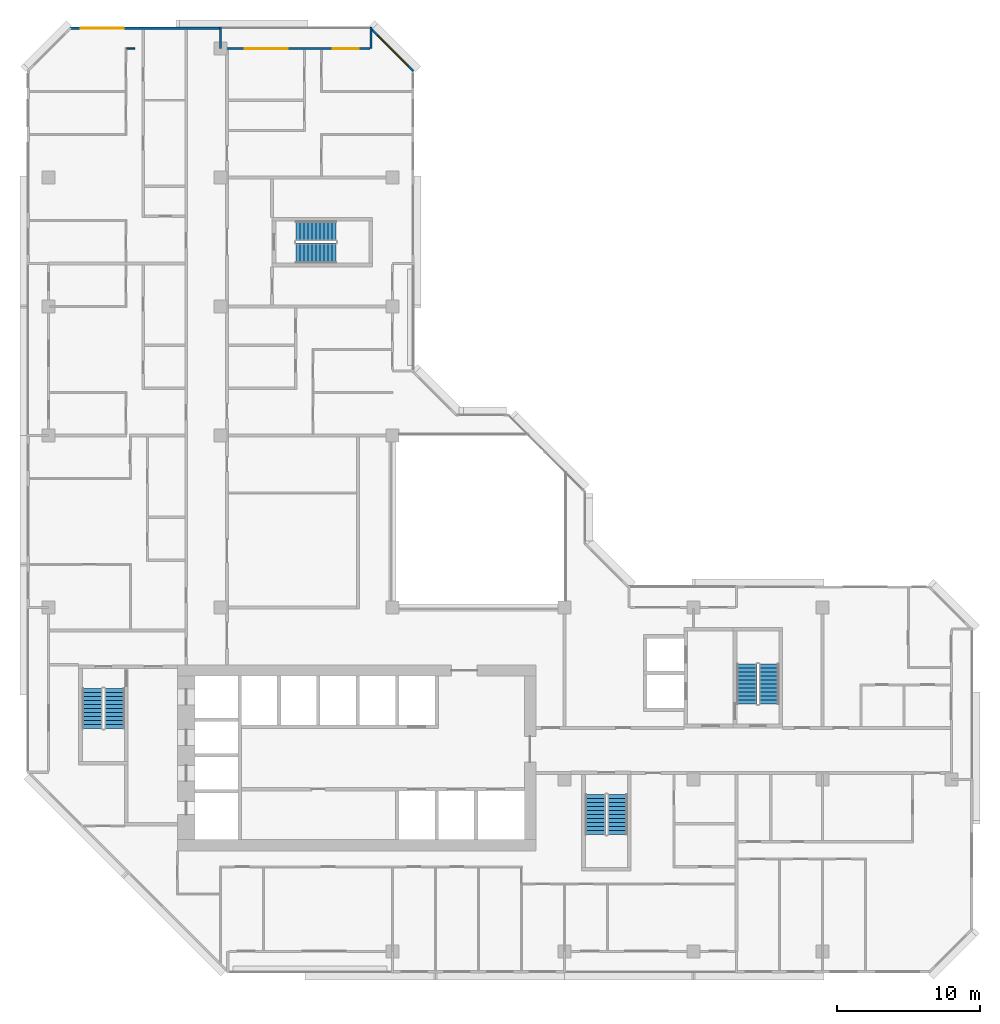
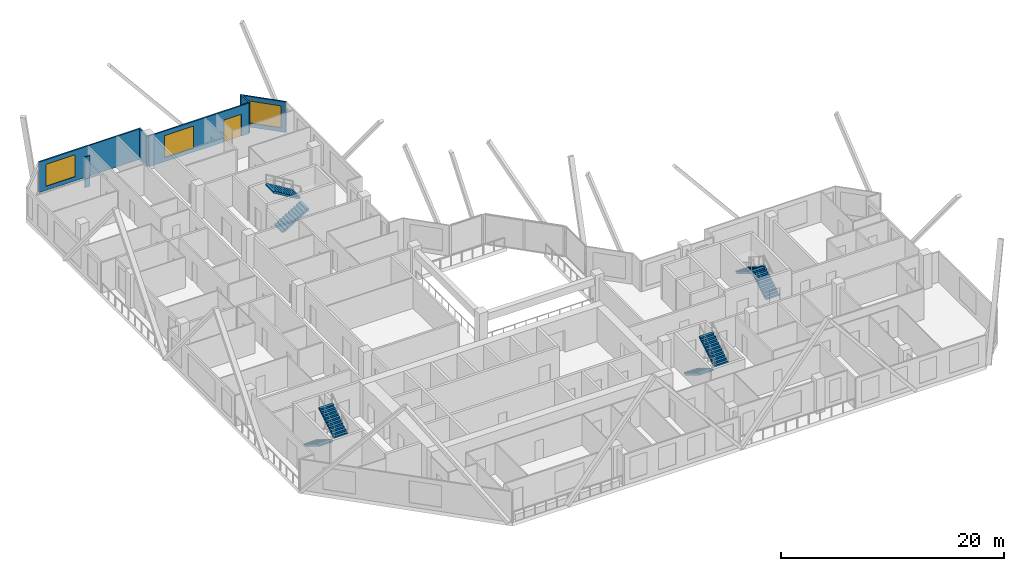
# One storey, part 13 of 15: 8 stair flights, 6 walls, 3 windows, 1 door, 4 openings, 4 elements without a shape of their own.
"""IFC4 building model written with IfcOpenShell, lengths in metres."""

from ifc_helpers import new_model, si_unit, direction, frame, frame_2d, origin, place, context, subcontext, project, spatial, polyline, rectangle, outline, extrude, material, layer, layer_set, type_object, element, fill, aggregate, save


model = new_model("IFC4")

# Units and contexts
model_context = context("Model", 3, precision=1e-05, world=origin(), true_north=direction((0.0, 1.0)))
body_context = subcontext(model_context, "Body", "Model", "MODEL_VIEW")
ifc_project = project(units=[si_unit("LENGTHUNIT", "METRE"), si_unit("AREAUNIT", "SQUARE_METRE"), si_unit("VOLUMEUNIT", "CUBIC_METRE"), si_unit("PLANEANGLEUNIT", "RADIAN"), si_unit("MASSUNIT", "GRAM", prefix="KILO")], contexts=[model_context])

# Site, building, storey
site_placement = place(None, origin())
site = spatial("IfcSite", under=ifc_project, at=site_placement, CompositionType="ELEMENT")
building_placement = place(site_placement, origin())
building = spatial("IfcBuilding", under=site, at=building_placement, Name="Chenar Terraces", CompositionType="ELEMENT")
storey_placement = place(building_placement, frame((0.0, 0.0, 194.89990234375)))
storey = spatial("IfcBuildingStorey", under=building, at=storey_placement, Name="L45", CompositionType="ELEMENT", Elevation=194.89990234375)

# Wall, opening, window
ifc_material_1 = material(Name="Aluminium framed glazing", Category="aluminium")
ifc_layer_1 = layer(ifc_material_1, 0.14990234375)
ifc_layer_set_1 = layer_set([ifc_layer_1], Name="Aluminium framed glazing")
wall_type_1 = type_object("IfcWallType", Name="Glazed flush facade wall 150", PredefinedType="SOLIDWALL", material=ifc_layer_set_1)
wall_1_placement = place(storey_placement, frame((11.925048828125, 64.425048828125, 0.0), z_axis=(0.0, 0.0, 1.0), x_axis=(-1.0, 0.0, 0.0)))
wall_1 = element("IfcWall", 1, at=wall_1_placement, inside=storey, type_object=wall_type_1, Name="Glazed flush facade wall", PredefinedType="SOLIDWALL", context=body_context, shape_type="SweptSolid", body=[
    extrude(rectangle(XDim=10.425048828125, YDim=0.14990234375, at=frame_2d((5.21240234375, 0.0))), origin(), (0.0, 0.0, 1.0), 3.35009765625),
])
opening_1_placement = place(wall_1_placement, frame((6.675048828125, 0.0, 0.449951171875)))
opening_1 = element("IfcOpeningElement", 2, at=opening_1_placement, cuts=wall_1, Name="Opening W300x240", PredefinedType="OPENING", context=body_context, shape_type="SweptSolid", body=[
    extrude(rectangle(XDim=3.0, YDim=2.39990234375, at=frame_2d((1.5, 1.199951171875))), frame((0.0, 0.0849609375, 0.0), z_axis=(0.0, -1.0, 0.0), x_axis=(1.0, 0.0, 0.0)), (0.0, 0.0, 1.0), 0.169921875),
])
ifc_material_2 = material(Name="Low emissivity double glazing, aluminium frame", Category="aluminium")
window_type = type_object("IfcWindowType", Name="Fixed light 3000 x 2400", PartitioningType="SINGLE_PANEL", PredefinedType="WINDOW", material=ifc_material_2)
window_1_placement = place(opening_1_placement, origin())
window_1 = element("IfcWindow", 3, at=window_1_placement, inside=storey, type_object=window_type, Name="Window", OverallHeight=2.39990234375, OverallWidth=3.0, PartitioningType="SINGLE_PANEL", PredefinedType="WINDOW", context=body_context, shape_type="SweptSolid", body=[
    extrude(rectangle(XDim=3.0, YDim=2.39990234375, at=frame_2d((1.5, 1.199951171875))), frame((0.0, 0.030029296875, 0.0), z_axis=(0.0, -1.0, 0.0), x_axis=(1.0, 0.0, 0.0)), (0.0, 0.0, 1.0), 0.06005859375),
])
fill(opening_1, window_1)

# Wall, openings, window, door
ifc_material_3 = material(Name="Aluminium framed glazing", Category="aluminium")
ifc_layer_2 = layer(ifc_material_3, 0.14990234375)
ifc_layer_set_2 = layer_set([ifc_layer_2], Name="Aluminium framed glazing")
wall_type_2 = type_object("IfcWallType", Name="Glazed loggia back wall 150", PredefinedType="SOLIDWALL", material=ifc_layer_set_2)
wall_2_placement = place(storey_placement, frame((22.425048828125, 63.0, 0.0), z_axis=(0.0, 0.0, 1.0), x_axis=(-1.0, 0.0, 0.0)))
wall_2 = element("IfcWall", 4, at=wall_2_placement, inside=storey, type_object=wall_type_2, Name="Glazed loggia back wall", PredefinedType="SOLIDWALL", context=body_context, shape_type="SweptSolid", body=[
    extrude(rectangle(XDim=10.35009765625, YDim=0.14990234375, at=frame_2d((5.175048828125, 0.0))), origin(), (0.0, 0.0, 1.0), 3.35009765625),
])
opening_2_placement = place(wall_2_placement, frame((0.78759765625, 0.0, 0.0)))
opening_2 = element("IfcOpeningElement", 5, at=opening_2_placement, cuts=wall_2, Name="Opening DL45-G2", PredefinedType="OPENING", context=body_context, shape_type="SweptSolid", body=[
    extrude(rectangle(XDim=1.800048828125, YDim=2.39990234375, at=frame_2d((0.89990234375, 1.199951171875))), frame((0.0, 0.0849609375, 0.0), z_axis=(0.0, -1.0, 0.0), x_axis=(1.0, 0.0, 0.0)), (0.0, 0.0, 1.0), 0.169921875),
])
opening_3_placement = place(wall_2_placement, frame((5.72509765625, 0.0, 0.449951171875)))
opening_3 = element("IfcOpeningElement", 6, at=opening_3_placement, cuts=wall_2, Name="Opening W300x240", PredefinedType="OPENING", context=body_context, shape_type="SweptSolid", body=[
    extrude(rectangle(XDim=3.0, YDim=2.39990234375, at=frame_2d((1.5, 1.199951171875))), frame((0.0, 0.0849609375, 0.0), z_axis=(0.0, -1.0, 0.0), x_axis=(1.0, 0.0, 0.0)), (0.0, 0.0, 1.0), 0.169921875),
])
window_2_placement = place(opening_3_placement, origin())
window_2 = element("IfcWindow", 7, at=window_2_placement, inside=storey, type_object=window_type, Name="Window", OverallHeight=2.39990234375, OverallWidth=3.0, PartitioningType="SINGLE_PANEL", PredefinedType="WINDOW", context=body_context, shape_type="SweptSolid", body=[
    extrude(rectangle(XDim=3.0, YDim=2.39990234375, at=frame_2d((1.5, 1.199951171875))), frame((0.0, 0.030029296875, 0.0), z_axis=(0.0, -1.0, 0.0), x_axis=(1.0, 0.0, 0.0)), (0.0, 0.0, 1.0), 0.06005859375),
])
fill(opening_3, window_2)
ifc_material_4 = material(Name="Low emissivity double glazing, aluminium frame", Category="aluminium")
door_type = type_object("IfcDoorType", Name="Loggia glazed double door 1800 x 2400", OperationType="DOUBLE_DOOR_SINGLE_SWING", PredefinedType="DOOR", material=ifc_material_4)
door_placement = place(opening_2_placement, frame((1.800048828125, 0.0, 0.0), z_axis=(0.0, 0.0, 1.0), x_axis=(-1.0, 0.0, 0.0)))
door = element("IfcDoor", 8, at=door_placement, inside=storey, type_object=door_type, Name="Loggia glazed door", OperationType="DOUBLE_DOOR_SINGLE_SWING", OverallHeight=2.39990234375, OverallWidth=1.800048828125, PredefinedType="DOOR", context=body_context, shape_type="SweptSolid", body=[
    extrude(rectangle(XDim=1.800048828125, YDim=2.39990234375, at=frame_2d((0.89990234375, 1.199951171875))), frame((0.0, 0.02490234375, 0.0), z_axis=(0.0, -1.0, 0.0), x_axis=(1.0, 0.0, 0.0)), (0.0, 0.0, 1.0), 0.050048828125),
])
fill(opening_2, door)

# Walls
ifc_material_5 = material(Name="Gypsum board on steel studs", Category="steel")
ifc_layer_3 = layer(ifc_material_5, 0.10009765625)
ifc_layer_set_3 = layer_set([ifc_layer_3], Name="Gypsum board on steel studs")
wall_type_3 = type_object("IfcWallType", Name="Gypsum partition 100", PredefinedType="PARTITIONING", material=ifc_layer_set_3)
wall_3_placement = place(storey_placement, frame((5.449951171875, 63.0, 0.0), z_axis=(0.0, 0.0, 1.0), x_axis=(1.0, 0.0, 0.0)))
element("IfcWall", 9, at=wall_3_placement, inside=storey, type_object=wall_type_3, Name="Partition L45-017", PredefinedType="PARTITIONING", context=body_context, shape_type="SweptSolid", body=[
    extrude(rectangle(XDim=0.550048828125, YDim=0.10009765625, at=frame_2d((0.27490234375, 0.0))), origin(), (0.0, 0.0, 1.0), 3.35009765625),
])
ifc_material_6 = material(Name="Terracotta cladding on insulated backing", Category="masonry")
ifc_layer_4 = layer(ifc_material_6, 0.14990234375)
ifc_layer_set_4 = layer_set([ifc_layer_4], Name="Terracotta cladding on insulated backing")
wall_type_4 = type_object("IfcWallType", Name="Loggia return wall 150", PredefinedType="SOLIDWALL", material=ifc_layer_set_4)
for number, where, z_axis, x_axis, name in (
    (10, (22.5, 64.5, 0.0), (0.0, 0.0, 1.0), (0.0, -1.0, 0.0), "Loggia return wall"),
    (11, (12.0, 64.5, 0.0), (0.0, 0.0, 1.0), (0.0, -1.0, 0.0), "Loggia return wall"),
):
    element("IfcWall", number, at=place(storey_placement, frame(where, z_axis=z_axis, x_axis=x_axis)), inside=storey, type_object=wall_type_4, Name=name, PredefinedType="SOLIDWALL", context=body_context, shape_type="SweptSolid", body=[
        extrude(rectangle(XDim=1.5, YDim=0.14990234375, at=frame_2d((0.75, 0.0))), origin(), (0.0, 0.0, 1.0), 3.35009765625),
    ])

# Wall, opening, window
ifc_material_7 = material(Name="Terracotta cladding on insulated backing", Category="masonry")
ifc_layer_5 = layer(ifc_material_7, 0.14990234375)
ifc_layer_set_5 = layer_set([ifc_layer_5], Name="Terracotta cladding on insulated backing")
wall_type_5 = type_object("IfcWallType", Name="Terracotta rainscreen wall 150", PredefinedType="SOLIDWALL", material=ifc_layer_set_5)
wall_4_placement = place(storey_placement, frame((25.447021484375, 61.447021484375, 0.0), z_axis=(0.0, 0.0, 1.0), x_axis=(-0.707106781187, 0.707106781187, 0.0)))
wall_4 = element("IfcWall", 12, at=wall_4_placement, inside=storey, type_object=wall_type_5, Name="Terracotta rainscreen wall", PredefinedType="SOLIDWALL", context=body_context, shape_type="SweptSolid", body=[
    extrude(rectangle(XDim=4.24267578125, YDim=0.14990234375, at=frame_2d((2.121337890625, 0.0))), origin(), (0.0, 0.0, 1.0), 3.35009765625),
])
opening_4_placement = place(wall_4_placement, frame((0.498046875, 0.0, 0.449951171875)))
opening_4 = element("IfcOpeningElement", 13, at=opening_4_placement, cuts=wall_4, Name="Opening W300x240", PredefinedType="OPENING", context=body_context, shape_type="SweptSolid", body=[
    extrude(rectangle(XDim=3.0, YDim=2.39990234375, at=frame_2d((1.5, 1.199951171875))), frame((0.0, 0.0849609375, 0.0), z_axis=(0.0, -1.0, 0.0), x_axis=(1.0, 0.0, 0.0)), (0.0, 0.0, 1.0), 0.169921875),
])
window_3_placement = place(opening_4_placement, origin())
window_3 = element("IfcWindow", 14, at=window_3_placement, inside=storey, type_object=window_type, Name="Window", OverallHeight=2.39990234375, OverallWidth=3.0, PartitioningType="SINGLE_PANEL", PredefinedType="WINDOW", context=body_context, shape_type="SweptSolid", body=[
    extrude(rectangle(XDim=3.0, YDim=2.39990234375, at=frame_2d((1.5, 1.199951171875))), frame((0.0, 0.030029296875, 0.0), z_axis=(0.0, -1.0, 0.0), x_axis=(1.0, 0.0, 0.0)), (0.0, 0.0, 1.0), 0.06005859375),
])
fill(opening_4, window_3)

# Stair, stair flights
ifc_material_8 = material(Name="Reinforced concrete C40/50", Category="concrete")
stair_type = type_object("IfcStairType", Name="Core stair 1400 half-turn", PredefinedType="HALF_TURN_STAIR", material=ifc_material_8)
placement = place(storey_placement, origin())
stair_1 = element("IfcStair", 15, at=placement, inside=storey, type_object=stair_type, Name="L45 Stair 1", PredefinedType="HALF_TURN_STAIR")
ifc_material_9 = material(Name="Reinforced concrete C40/50", Category="concrete")
stair_flight_type = type_object("IfcStairFlightType", Name="Core stair flight 1400", PredefinedType="STRAIGHT", material=ifc_material_9)
stair_flight_1_placement = place(storey_placement, frame((3.050048828125, 18.35009765625, 0.0), z_axis=(0.0, 0.0, 1.0), x_axis=(0.0, -1.0, 0.0)))
stair_flight_1 = element("IfcStairFlight", 16, at=stair_flight_1_placement, type_object=stair_flight_type, Name="ST1 flight 1", NumberOfRisers=11, NumberOfTreads=10, PredefinedType="STRAIGHT", RiserHeight=0.170454545, TreadLength=0.28, context=body_context, shape_type="SweptSolid", body=[
    extrude(outline(polyline([(-0.0029296875, 0.0), (-0.0029296875, 0.17041015625), (0.0, 0.17041015625), (0.280029296875, 0.17041015625), (0.280029296875, 0.3408203125), (0.56005859375, 0.3408203125), (0.56005859375, 0.511474609375), (0.840087890625, 0.511474609375), (0.840087890625, 0.681884765625), (1.1201171875, 0.681884765625), (1.1201171875, 0.852294921875), (1.39990234375, 0.852294921875), (1.39990234375, 1.022705078125), (1.679931640625, 1.022705078125), (1.679931640625, 1.193115234375), (1.9599609375, 1.193115234375), (1.9599609375, 1.363525390625), (2.239990234375, 1.363525390625), (2.239990234375, 1.5341796875), (2.52001953125, 1.5341796875), (2.52001953125, 1.70458984375), (2.800048828125, 1.70458984375), (2.802978515625, 1.70458984375), (2.802978515625, 1.529052734375), (2.800048828125, 1.529052734375), (0.288330078125, 0.0), (-0.0029296875, 0.0)])), frame((0.0, 0.699951171875, 0.0), z_axis=(0.0, -1.0, 0.0), x_axis=(1.0, 0.0, 0.0)), (0.0, 0.0, 1.0), 1.39990234375),
])
stair_flight_2_placement = place(storey_placement, frame((4.60009765625, 15.550048828125, 1.875), z_axis=(0.0, 0.0, 1.0), x_axis=(0.0, 1.0, 0.0)))
stair_flight_2 = element("IfcStairFlight", 17, at=stair_flight_2_placement, type_object=stair_flight_type, Name="ST1 flight 2", NumberOfRisers=11, NumberOfTreads=10, PredefinedType="STRAIGHT", RiserHeight=0.170454545, TreadLength=0.28, context=body_context, shape_type="SweptSolid", body=[
    extrude(outline(polyline([(-0.0029296875, 0.0), (-0.0029296875, 0.17041015625), (0.0, 0.17041015625), (0.280029296875, 0.17041015625), (0.280029296875, 0.3408203125), (0.56005859375, 0.3408203125), (0.56005859375, 0.511474609375), (0.840087890625, 0.511474609375), (0.840087890625, 0.681884765625), (1.1201171875, 0.681884765625), (1.1201171875, 0.852294921875), (1.39990234375, 0.852294921875), (1.39990234375, 1.022705078125), (1.679931640625, 1.022705078125), (1.679931640625, 1.193115234375), (1.9599609375, 1.193115234375), (1.9599609375, 1.363525390625), (2.239990234375, 1.363525390625), (2.239990234375, 1.5341796875), (2.52001953125, 1.5341796875), (2.52001953125, 1.70458984375), (2.800048828125, 1.70458984375), (2.802978515625, 1.70458984375), (2.802978515625, 1.529052734375), (2.800048828125, 1.529052734375), (0.288330078125, 0.0), (-0.0029296875, 0.0)])), frame((0.0, 0.699951171875, 0.0), z_axis=(0.0, -1.0, 0.0), x_axis=(1.0, 0.0, 0.0)), (0.0, 0.0, 1.0), 1.39990234375),
])
aggregate(stair_1, [stair_flight_1, stair_flight_2])

stair_2 = element("IfcStair", 18, at=placement, inside=storey, type_object=stair_type, Name="L45 Stair 2", PredefinedType="HALF_TURN_STAIR")
stair_flight_3_placement = place(storey_placement, frame((38.14990234375, 10.949951171875, 0.0), z_axis=(0.0, 0.0, 1.0), x_axis=(0.0, -1.0, 0.0)))
stair_flight_3 = element("IfcStairFlight", 19, at=stair_flight_3_placement, type_object=stair_flight_type, Name="ST2 flight 1", NumberOfRisers=11, NumberOfTreads=10, PredefinedType="STRAIGHT", RiserHeight=0.170454545, TreadLength=0.28, context=body_context, shape_type="SweptSolid", body=[
    extrude(outline(polyline([(-0.0029296875, 0.0), (-0.0029296875, 0.17041015625), (0.0, 0.17041015625), (0.280029296875, 0.17041015625), (0.280029296875, 0.3408203125), (0.56005859375, 0.3408203125), (0.56005859375, 0.511474609375), (0.840087890625, 0.511474609375), (0.840087890625, 0.681884765625), (1.1201171875, 0.681884765625), (1.1201171875, 0.852294921875), (1.39990234375, 0.852294921875), (1.39990234375, 1.022705078125), (1.679931640625, 1.022705078125), (1.679931640625, 1.193115234375), (1.9599609375, 1.193115234375), (1.9599609375, 1.363525390625), (2.239990234375, 1.363525390625), (2.239990234375, 1.5341796875), (2.52001953125, 1.5341796875), (2.52001953125, 1.70458984375), (2.800048828125, 1.70458984375), (2.802978515625, 1.70458984375), (2.802978515625, 1.529052734375), (2.800048828125, 1.529052734375), (0.288330078125, 0.0), (-0.0029296875, 0.0)])), frame((0.0, 0.699951171875, 0.0), z_axis=(0.0, -1.0, 0.0), x_axis=(1.0, 0.0, 0.0)), (0.0, 0.0, 1.0), 1.39990234375),
])
stair_flight_4_placement = place(storey_placement, frame((39.699951171875, 8.14990234375, 1.875), z_axis=(0.0, 0.0, 1.0), x_axis=(0.0, 1.0, 0.0)))
stair_flight_4 = element("IfcStairFlight", 20, at=stair_flight_4_placement, type_object=stair_flight_type, Name="ST2 flight 2", NumberOfRisers=11, NumberOfTreads=10, PredefinedType="STRAIGHT", RiserHeight=0.170454545, TreadLength=0.28, context=body_context, shape_type="SweptSolid", body=[
    extrude(outline(polyline([(-0.0029296875, 0.0), (-0.0029296875, 0.17041015625), (0.0, 0.17041015625), (0.280029296875, 0.17041015625), (0.280029296875, 0.3408203125), (0.56005859375, 0.3408203125), (0.56005859375, 0.511474609375), (0.840087890625, 0.511474609375), (0.840087890625, 0.681884765625), (1.1201171875, 0.681884765625), (1.1201171875, 0.852294921875), (1.39990234375, 0.852294921875), (1.39990234375, 1.022705078125), (1.679931640625, 1.022705078125), (1.679931640625, 1.193115234375), (1.9599609375, 1.193115234375), (1.9599609375, 1.363525390625), (2.239990234375, 1.363525390625), (2.239990234375, 1.5341796875), (2.52001953125, 1.5341796875), (2.52001953125, 1.70458984375), (2.800048828125, 1.70458984375), (2.802978515625, 1.70458984375), (2.802978515625, 1.529052734375), (2.800048828125, 1.529052734375), (0.288330078125, 0.0), (-0.0029296875, 0.0)])), frame((0.0, 0.699951171875, 0.0), z_axis=(0.0, -1.0, 0.0), x_axis=(1.0, 0.0, 0.0)), (0.0, 0.0, 1.0), 1.39990234375),
])
aggregate(stair_2, [stair_flight_3, stair_flight_4])

stair_3 = element("IfcStair", 21, at=placement, inside=storey, type_object=stair_type, Name="L45 Stair 3", PredefinedType="HALF_TURN_STAIR")
stair_flight_5_placement = place(storey_placement, frame((50.27490234375, 17.25, 0.0), z_axis=(0.0, 0.0, 1.0), x_axis=(0.0, 1.0, 0.0)))
stair_flight_5 = element("IfcStairFlight", 22, at=stair_flight_5_placement, type_object=stair_flight_type, Name="ST3 flight 1", NumberOfRisers=11, NumberOfTreads=10, PredefinedType="STRAIGHT", RiserHeight=0.170454545, TreadLength=0.28, context=body_context, shape_type="SweptSolid", body=[
    extrude(outline(polyline([(-0.0029296875, 0.0), (-0.0029296875, 0.17041015625), (0.0, 0.17041015625), (0.280029296875, 0.17041015625), (0.280029296875, 0.3408203125), (0.56005859375, 0.3408203125), (0.56005859375, 0.511474609375), (0.840087890625, 0.511474609375), (0.840087890625, 0.681884765625), (1.1201171875, 0.681884765625), (1.1201171875, 0.852294921875), (1.39990234375, 0.852294921875), (1.39990234375, 1.022705078125), (1.679931640625, 1.022705078125), (1.679931640625, 1.193115234375), (1.9599609375, 1.193115234375), (1.9599609375, 1.363525390625), (2.239990234375, 1.363525390625), (2.239990234375, 1.5341796875), (2.52001953125, 1.5341796875), (2.52001953125, 1.70458984375), (2.800048828125, 1.70458984375), (2.802978515625, 1.70458984375), (2.802978515625, 1.529052734375), (2.800048828125, 1.529052734375), (0.288330078125, 0.0), (-0.0029296875, 0.0)])), frame((0.0, 0.699951171875, 0.0), z_axis=(0.0, -1.0, 0.0), x_axis=(1.0, 0.0, 0.0)), (0.0, 0.0, 1.0), 1.39990234375),
])
stair_flight_6_placement = place(storey_placement, frame((48.72509765625, 20.050048828125, 1.875), z_axis=(0.0, 0.0, 1.0), x_axis=(0.0, -1.0, 0.0)))
stair_flight_6 = element("IfcStairFlight", 23, at=stair_flight_6_placement, type_object=stair_flight_type, Name="ST3 flight 2", NumberOfRisers=11, NumberOfTreads=10, PredefinedType="STRAIGHT", RiserHeight=0.170454545, TreadLength=0.28, context=body_context, shape_type="SweptSolid", body=[
    extrude(outline(polyline([(-0.0029296875, 0.0), (-0.0029296875, 0.17041015625), (0.0, 0.17041015625), (0.280029296875, 0.17041015625), (0.280029296875, 0.3408203125), (0.56005859375, 0.3408203125), (0.56005859375, 0.511474609375), (0.840087890625, 0.511474609375), (0.840087890625, 0.681884765625), (1.1201171875, 0.681884765625), (1.1201171875, 0.852294921875), (1.39990234375, 0.852294921875), (1.39990234375, 1.022705078125), (1.679931640625, 1.022705078125), (1.679931640625, 1.193115234375), (1.9599609375, 1.193115234375), (1.9599609375, 1.363525390625), (2.239990234375, 1.363525390625), (2.239990234375, 1.5341796875), (2.52001953125, 1.5341796875), (2.52001953125, 1.70458984375), (2.800048828125, 1.70458984375), (2.802978515625, 1.70458984375), (2.802978515625, 1.529052734375), (2.800048828125, 1.529052734375), (0.288330078125, 0.0), (-0.0029296875, 0.0)])), frame((0.0, 0.699951171875, 0.0), z_axis=(0.0, -1.0, 0.0), x_axis=(1.0, 0.0, 0.0)), (0.0, 0.0, 1.0), 1.39990234375),
])
aggregate(stair_3, [stair_flight_5, stair_flight_6])

stair_4 = element("IfcStair", 24, at=placement, inside=storey, type_object=stair_type, Name="L45 Stair 4", PredefinedType="HALF_TURN_STAIR")
stair_flight_7_placement = place(storey_placement, frame((17.25, 48.72509765625, 0.0), z_axis=(0.0, 0.0, 1.0), x_axis=(1.0, 0.0, 0.0)))
stair_flight_7 = element("IfcStairFlight", 25, at=stair_flight_7_placement, type_object=stair_flight_type, Name="ST4 flight 1", NumberOfRisers=11, NumberOfTreads=10, PredefinedType="STRAIGHT", RiserHeight=0.170454545, TreadLength=0.28, context=body_context, shape_type="SweptSolid", body=[
    extrude(outline(polyline([(-0.0029296875, 0.0), (-0.0029296875, 0.17041015625), (0.0, 0.17041015625), (0.280029296875, 0.17041015625), (0.280029296875, 0.3408203125), (0.56005859375, 0.3408203125), (0.56005859375, 0.511474609375), (0.840087890625, 0.511474609375), (0.840087890625, 0.681884765625), (1.1201171875, 0.681884765625), (1.1201171875, 0.852294921875), (1.39990234375, 0.852294921875), (1.39990234375, 1.022705078125), (1.679931640625, 1.022705078125), (1.679931640625, 1.193115234375), (1.9599609375, 1.193115234375), (1.9599609375, 1.363525390625), (2.239990234375, 1.363525390625), (2.239990234375, 1.5341796875), (2.52001953125, 1.5341796875), (2.52001953125, 1.70458984375), (2.800048828125, 1.70458984375), (2.802978515625, 1.70458984375), (2.802978515625, 1.529052734375), (2.800048828125, 1.529052734375), (0.288330078125, 0.0), (-0.0029296875, 0.0)])), frame((0.0, 0.699951171875, 0.0), z_axis=(0.0, -1.0, 0.0), x_axis=(1.0, 0.0, 0.0)), (0.0, 0.0, 1.0), 1.39990234375),
])
stair_flight_8_placement = place(storey_placement, frame((20.050048828125, 50.27490234375, 1.875), z_axis=(0.0, 0.0, 1.0), x_axis=(-1.0, 0.0, 0.0)))
stair_flight_8 = element("IfcStairFlight", 26, at=stair_flight_8_placement, type_object=stair_flight_type, Name="ST4 flight 2", NumberOfRisers=11, NumberOfTreads=10, PredefinedType="STRAIGHT", RiserHeight=0.170454545, TreadLength=0.28, context=body_context, shape_type="SweptSolid", body=[
    extrude(outline(polyline([(-0.0029296875, 0.0), (-0.0029296875, 0.17041015625), (0.0, 0.17041015625), (0.280029296875, 0.17041015625), (0.280029296875, 0.3408203125), (0.56005859375, 0.3408203125), (0.56005859375, 0.511474609375), (0.840087890625, 0.511474609375), (0.840087890625, 0.681884765625), (1.1201171875, 0.681884765625), (1.1201171875, 0.852294921875), (1.39990234375, 0.852294921875), (1.39990234375, 1.022705078125), (1.679931640625, 1.022705078125), (1.679931640625, 1.193115234375), (1.9599609375, 1.193115234375), (1.9599609375, 1.363525390625), (2.239990234375, 1.363525390625), (2.239990234375, 1.5341796875), (2.52001953125, 1.5341796875), (2.52001953125, 1.70458984375), (2.800048828125, 1.70458984375), (2.802978515625, 1.70458984375), (2.802978515625, 1.529052734375), (2.800048828125, 1.529052734375), (0.288330078125, 0.0), (-0.0029296875, 0.0)])), frame((0.0, 0.699951171875, 0.0), z_axis=(0.0, -1.0, 0.0), x_axis=(1.0, 0.0, 0.0)), (0.0, 0.0, 1.0), 1.39990234375),
])
aggregate(stair_4, [stair_flight_7, stair_flight_8])

save(model, "model.ifc")
